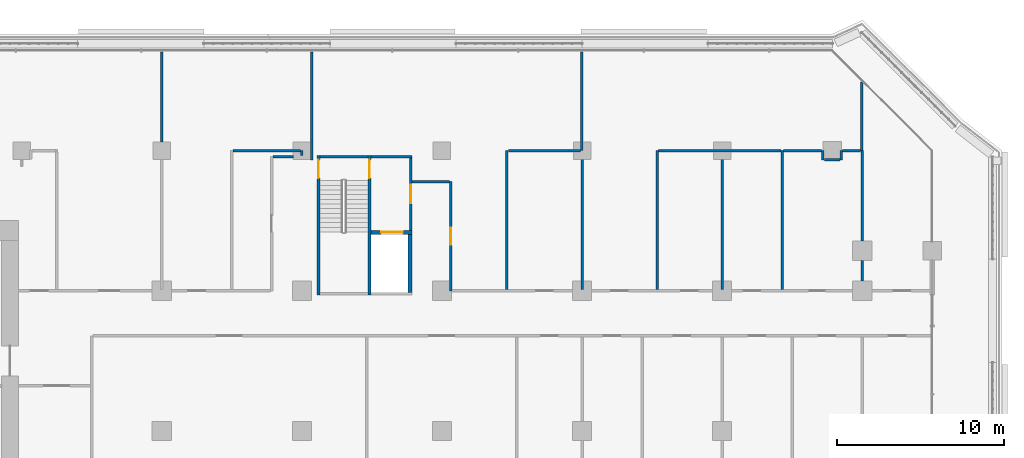
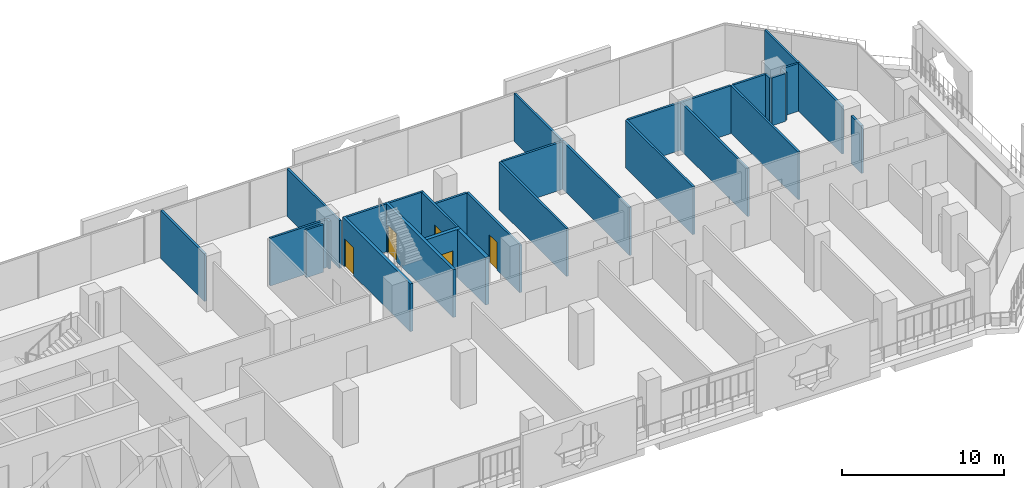
# One storey, part 17 of 27: 30 walls, 5 doors, 5 openings.
"""IFC4 building model written with IfcOpenShell, lengths in metres."""

from ifc_helpers import new_model, si_unit, direction, frame, frame_2d, origin, place, context, subcontext, project, spatial, rectangle, extrude, material, layer, layer_set, type_object, element, fill, save


model = new_model("IFC4")

# Units and contexts
model_context = context("Model", 3, precision=1e-05, world=origin(), true_north=direction((0.0, 1.0)))
body_context = subcontext(model_context, "Body", "Model", "MODEL_VIEW")
ifc_project = project(units=[si_unit("LENGTHUNIT", "METRE"), si_unit("AREAUNIT", "SQUARE_METRE"), si_unit("VOLUMEUNIT", "CUBIC_METRE"), si_unit("PLANEANGLEUNIT", "RADIAN"), si_unit("MASSUNIT", "GRAM", prefix="KILO")], contexts=[model_context])

# Site, building, storey
site_placement = place(None, origin())
site = spatial("IfcSite", under=ifc_project, at=site_placement, CompositionType="ELEMENT")
building_placement = place(site_placement, origin())
building = spatial("IfcBuilding", under=site, at=building_placement, Name="Kawkab Arch Medical Tower", CompositionType="ELEMENT")
storey_placement = place(building_placement, frame((0.0, 0.0, 103.0)))
storey = spatial("IfcBuildingStorey", under=building, at=storey_placement, Name="L23", CompositionType="ELEMENT", Elevation=103.0)

# Wall, opening, door
ifc_material_1 = material(Name="Gypsum board on steel studs", Category="steel")
ifc_layer_1 = layer(ifc_material_1, 0.14990234375)
ifc_layer_set_1 = layer_set([ifc_layer_1], Name="Gypsum board on steel studs")
wall_type_1 = type_object("IfcWallType", Name="Core room partition 150", PredefinedType="PARTITIONING", material=ifc_layer_set_1)
wall_1_placement = place(storey_placement, frame((48.52490234375, -4.77490234375, 0.0), z_axis=(0.0, 0.0, 1.0), x_axis=(0.0, 1.0, 0.0)))
wall_1 = element("IfcWall", 1, at=wall_1_placement, inside=storey, type_object=wall_type_1, Name="L23 core room partition", PredefinedType="PARTITIONING", context=body_context, shape_type="SweptSolid", body=[
    extrude(rectangle(XDim=4.324951171875, YDim=0.14990234375, at=frame_2d((2.16259765625, 0.0))), origin(), (0.0, 0.0, 1.0), 3.60009765625),
])
opening_1_placement = place(wall_1_placement, frame((1.625, 0.0, 0.0)))
opening_1 = element("IfcOpeningElement", 2, at=opening_1_placement, cuts=wall_1, Name="Opening FD", PredefinedType="OPENING", context=body_context, shape_type="SweptSolid", body=[
    extrude(rectangle(XDim=1.10009765625, YDim=2.10009765625, at=frame_2d((0.550048828125, 1.050048828125))), frame((0.0, 0.0849609375, 0.0), z_axis=(0.0, -1.0, 0.0), x_axis=(1.0, 0.0, 0.0)), (0.0, 0.0, 1.0), 0.169921875),
])
ifc_material_2 = material(Name="Hollow metal fire door leaf")
door_type_1 = type_object("IfcDoorType", Name="Firefighting lobby door 1100", OperationType="SINGLE_SWING_LEFT", PredefinedType="DOOR", material=ifc_material_2)
door_1_placement = place(opening_1_placement, origin())
door_1 = element("IfcDoor", 3, at=door_1_placement, inside=storey, type_object=door_type_1, Name="L23 Service lift lobby door SV1", OperationType="SINGLE_SWING_LEFT", OverallHeight=2.10009765625, OverallWidth=1.10009765625, PredefinedType="DOOR", context=body_context, shape_type="SweptSolid", body=[
    extrude(rectangle(XDim=1.10009765625, YDim=2.10009765625, at=frame_2d((0.550048828125, 1.050048828125))), frame((0.0, 0.02490234375, 0.0), z_axis=(0.0, -1.0, 0.0), x_axis=(1.0, 0.0, 0.0)), (0.0, 0.0, 1.0), 0.050048828125),
])
fill(opening_1, door_1)

ifc_material_3 = material(Name="Concrete C60/75", Category="concrete")
ifc_layer_2 = layer(ifc_material_3, 0.25)
ifc_layer_set_2 = layer_set([ifc_layer_2], Name="Concrete C60/75")
wall_type_2 = type_object("IfcWallType", Name="Core shear wall 250 C60/75", PredefinedType="SHEAR", material=ifc_layer_set_2)
wall_2_placement = place(storey_placement, frame((46.14990234375, -4.89990234375, 0.0), z_axis=(0.0, 0.0, 1.0), x_axis=(1.0, 0.0, 0.0)))
wall_2 = element("IfcWall", 4, at=wall_2_placement, inside=storey, type_object=wall_type_2, Name="L23 core shear wall", PredefinedType="SHEAR", context=body_context, shape_type="SweptSolid", body=[
    extrude(rectangle(XDim=2.4501953125, YDim=0.25, at=frame_2d((1.22509765625, 0.0))), origin(), (0.0, 0.0, 1.0), 3.60009765625),
])
opening_2_placement = place(wall_2_placement, frame((0.60009765625, 0.0, 0.0)))
opening_2 = element("IfcOpeningElement", 5, at=opening_2_placement, cuts=wall_2, Name="Opening LD2", PredefinedType="OPENING", context=body_context, shape_type="SweptSolid", body=[
    extrude(rectangle(XDim=1.300048828125, YDim=2.10009765625, at=frame_2d((0.64990234375, 1.050048828125))), frame((0.0, 0.135009765625, 0.0), z_axis=(0.0, -1.0, 0.0), x_axis=(1.0, 0.0, 0.0)), (0.0, 0.0, 1.0), 0.27001953125),
])
ifc_material_4 = material(Name="Stainless steel lift door leaf", Category="steel")
door_type_2 = type_object("IfcDoorType", Name="Lift landing door 1300", OperationType="DOUBLE_DOOR_SLIDING", PredefinedType="DOOR", material=ifc_material_4)
door_2_placement = place(opening_2_placement, origin())
door_2 = element("IfcDoor", 6, at=door_2_placement, inside=storey, type_object=door_type_2, Name="L23 Lift landing door SV1", OperationType="DOUBLE_DOOR_SLIDING", OverallHeight=2.10009765625, OverallWidth=1.300048828125, PredefinedType="DOOR", context=body_context, shape_type="SweptSolid", body=[
    extrude(rectangle(XDim=1.300048828125, YDim=2.10009765625, at=frame_2d((0.64990234375, 1.050048828125))), frame((0.0, 0.02490234375, 0.0), z_axis=(0.0, -1.0, 0.0), x_axis=(1.0, 0.0, 0.0)), (0.0, 0.0, 1.0), 0.050048828125),
])
fill(opening_2, door_2)

# Walls
wall_3_placement = place(storey_placement, frame((48.47509765625, -8.5, 0.0), z_axis=(0.0, 0.0, 1.0), x_axis=(0.0, 1.0, 0.0)))
element("IfcWall", 7, at=wall_3_placement, inside=storey, type_object=wall_type_2, Name="L23 core shear wall", PredefinedType="SHEAR", context=body_context, shape_type="SweptSolid", body=[
    extrude(rectangle(XDim=3.47509765625, YDim=0.25, at=frame_2d((1.737548828125, 0.0))), origin(), (0.0, 0.0, 1.0), 3.60009765625),
])
ifc_material_5 = material(Name="Gypsum board partition on steel studs, mineral wool", Category="steel")
ifc_layer_3 = layer(ifc_material_5, 0.14990234375)
ifc_layer_set_3 = layer_set([ifc_layer_3], Name="Gypsum board partition on steel studs, mineral wool")
wall_type_3 = type_object("IfcWallType", Name="Partition 150", PredefinedType="PARTITIONING", material=ifc_layer_set_3)
wall_4_placement = place(storey_placement, frame((48.60009765625, -1.85009765625, 0.0), z_axis=(0.0, 0.0, 1.0), x_axis=(1.0, 0.0, 0.0)))
element("IfcWall", 8, at=wall_4_placement, inside=storey, type_object=wall_type_3, Name="Partition 150 w017", PredefinedType="PARTITIONING", context=body_context, shape_type="SweptSolid", body=[
    extrude(rectangle(XDim=2.247802734375, YDim=0.14990234375, at=frame_2d((1.1240234375, 0.0))), origin(), (0.0, 0.0, 1.0), 3.60009765625),
])
wall_5_placement = place(storey_placement, frame((73.326904296875, -0.550048828125, 0.0), z_axis=(0.0, 0.0, 1.0), x_axis=(1.0, 0.0, 0.0)))
element("IfcWall", 9, at=wall_5_placement, inside=storey, type_object=wall_type_3, Name="Partition 150 w018", PredefinedType="PARTITIONING", context=body_context, shape_type="SweptSolid", body=[
    extrude(rectangle(XDim=0.946044921875, YDim=0.14990234375, at=frame_2d((0.47314453125, 0.0))), origin(), (0.0, 0.0, 1.0), 3.60009765625),
])
wall_6_placement = place(storey_placement, frame((40.257080078125, -0.35009765625, 0.0), z_axis=(0.0, 0.0, 1.0), x_axis=(1.0, 0.0, 0.0)))
element("IfcWall", 10, at=wall_6_placement, inside=storey, type_object=wall_type_3, Name="Partition 150 w019", PredefinedType="PARTITIONING", context=body_context, shape_type="SweptSolid", body=[
    extrude(rectangle(XDim=1.23095703125, YDim=0.14990234375, at=frame_2d((0.615478515625, 0.0))), origin(), (0.0, 0.0, 1.0), 3.60009765625),
])
wall_7_placement = place(storey_placement, frame((37.8779296875, 0.0, 0.0), z_axis=(0.0, 0.0, 1.0), x_axis=(1.0, 0.0, 0.0)))
element("IfcWall", 11, at=wall_7_placement, inside=storey, type_object=wall_type_3, Name="Partition 150 w021", PredefinedType="PARTITIONING", context=body_context, shape_type="SweptSolid", body=[
    extrude(rectangle(XDim=4.045166015625, YDim=0.14990234375, at=frame_2d((2.0224609375, 0.0))), origin(), (0.0, 0.0, 1.0), 3.60009765625),
])
wall_8_placement = place(storey_placement, frame((54.39501953125, 0.0, 0.0), z_axis=(0.0, 0.0, 1.0), x_axis=(1.0, 0.0, 0.0)))
element("IfcWall", 12, at=wall_8_placement, inside=storey, type_object=wall_type_3, Name="Partition 150 w022", PredefinedType="PARTITIONING", context=body_context, shape_type="SweptSolid", body=[
    extrude(rectangle(XDim=4.31005859375, YDim=0.14990234375, at=frame_2d((2.155029296875, 0.0))), origin(), (0.0, 0.0, 1.0), 3.60009765625),
])
wall_9_placement = place(storey_placement, frame((63.37890625, 0.0, 0.0), z_axis=(0.0, 0.0, 1.0), x_axis=(1.0, 0.0, 0.0)))
element("IfcWall", 13, at=wall_9_placement, inside=storey, type_object=wall_type_3, Name="Partition 150 w023", PredefinedType="PARTITIONING", context=body_context, shape_type="SweptSolid", body=[
    extrude(rectangle(XDim=7.34619140625, YDim=0.14990234375, at=frame_2d((3.673095703125, 0.0))), origin(), (0.0, 0.0, 1.0), 3.60009765625),
])
wall_10_placement = place(storey_placement, frame((70.89501953125, 0.0, 0.0), z_axis=(0.0, 0.0, 1.0), x_axis=(1.0, 0.0, 0.0)))
element("IfcWall", 14, at=wall_10_placement, inside=storey, type_object=wall_type_3, Name="Partition 150 w024", PredefinedType="PARTITIONING", context=body_context, shape_type="SweptSolid", body=[
    extrude(rectangle(XDim=2.278076171875, YDim=0.14990234375, at=frame_2d((1.13916015625, 0.0))), origin(), (0.0, 0.0, 1.0), 3.60009765625),
])
wall_11_placement = place(storey_placement, frame((74.426025390625, 0.0, 0.0), z_axis=(0.0, 0.0, 1.0), x_axis=(1.0, 0.0, 0.0)))
element("IfcWall", 15, at=wall_11_placement, inside=storey, type_object=wall_type_3, Name="Partition 150 w025", PredefinedType="PARTITIONING", context=body_context, shape_type="SweptSolid", body=[
    extrude(rectangle(XDim=1.078857421875, YDim=0.14990234375, at=frame_2d((0.53955078125, 0.0))), origin(), (0.0, 0.0, 1.0), 3.60009765625),
])
wall_12_placement = place(storey_placement, frame((33.60009765625, 0.52490234375, 0.0), z_axis=(0.0, 0.0, 1.0), x_axis=(0.0, 1.0, 0.0)))
element("IfcWall", 16, at=wall_12_placement, inside=storey, type_object=wall_type_3, Name="Partition 150 w036", PredefinedType="PARTITIONING", context=body_context, shape_type="SweptSolid", body=[
    extrude(rectangle(XDim=5.39501953125, YDim=0.14990234375, at=frame_2d((2.697509765625, 0.0))), origin(), (0.0, 0.0, 1.0), 3.60009765625),
])
wall_13_placement = place(storey_placement, frame((42.0, -0.300048828125, 0.0), z_axis=(0.0, 0.0, 1.0), x_axis=(0.0, 1.0, 0.0)))
element("IfcWall", 17, at=wall_13_placement, inside=storey, type_object=wall_type_3, Name="Partition 150 w039", PredefinedType="PARTITIONING", context=body_context, shape_type="SweptSolid", body=[
    extrude(rectangle(XDim=0.298095703125, YDim=0.14990234375, at=frame_2d((0.14892578125, 0.0))), origin(), (0.0, 0.0, 1.0), 3.60009765625),
])
wall_14_placement = place(storey_placement, frame((42.60009765625, -0.570068359375, 0.0), z_axis=(0.0, 0.0, 1.0), x_axis=(0.0, 1.0, 0.0)))
element("IfcWall", 18, at=wall_14_placement, inside=storey, type_object=wall_type_3, Name="Partition 150 w040", PredefinedType="PARTITIONING", context=body_context, shape_type="SweptSolid", body=[
    extrude(rectangle(XDim=6.489990234375, YDim=0.14990234375, at=frame_2d((3.2451171875, 0.0))), origin(), (0.0, 0.0, 1.0), 3.60009765625),
])

# Wall, opening, door
wall_15_placement = place(storey_placement, frame((50.925048828125, -8.39990234375, 0.0), z_axis=(0.0, 0.0, 1.0), x_axis=(0.0, 1.0, 0.0)))
wall_15 = element("IfcWall", 19, at=wall_15_placement, inside=storey, type_object=wall_type_3, Name="Partition 150 w042", PredefinedType="PARTITIONING", context=body_context, shape_type="SweptSolid", body=[
    extrude(rectangle(XDim=6.546875, YDim=0.14990234375, at=frame_2d((3.2734375, 0.0))), origin(), (0.0, 0.0, 1.0), 3.60009765625),
])
opening_3_placement = place(wall_15_placement, frame((2.77392578125, 0.0, 0.0)))
opening_3 = element("IfcOpeningElement", 20, at=opening_3_placement, cuts=wall_15, Name="Opening B23-010", PredefinedType="OPENING", context=body_context, shape_type="SweptSolid", body=[
    extrude(rectangle(XDim=1.0, YDim=2.10009765625, at=frame_2d((0.5, 1.050048828125))), frame((0.0, 0.0849609375, 0.0), z_axis=(0.0, -1.0, 0.0), x_axis=(1.0, 0.0, 0.0)), (0.0, 0.0, 1.0), 0.169921875),
])
ifc_material_6 = material(Name="Hollow metal door leaf")
door_type_3 = type_object("IfcDoorType", Name="Single door 1000x2100 FD30S", OperationType="NOTDEFINED", PredefinedType="DOOR", material=ifc_material_6)
door_3_placement = place(opening_3_placement, origin())
door_3 = element("IfcDoor", 21, at=door_3_placement, inside=storey, type_object=door_type_3, Name="Door B23-010", OperationType="SINGLE_SWING_LEFT", OverallHeight=2.10009765625, OverallWidth=1.0, PredefinedType="DOOR", context=body_context, shape_type="SweptSolid", body=[
    extrude(rectangle(XDim=1.0, YDim=2.10009765625, at=frame_2d((0.5, 1.050048828125))), frame((0.0, 0.02490234375, 0.0), z_axis=(0.0, -1.0, 0.0), x_axis=(1.0, 0.0, 0.0)), (0.0, 0.0, 1.0), 0.050048828125),
])
fill(opening_3, door_3)

# Walls
wall_16_placement = place(storey_placement, frame((54.300048828125, -8.324951171875, 0.0), z_axis=(0.0, 0.0, 1.0), x_axis=(0.0, 1.0, 0.0)))
element("IfcWall", 22, at=wall_16_placement, inside=storey, type_object=wall_type_3, Name="Partition 150 w043", PredefinedType="PARTITIONING", context=body_context, shape_type="SweptSolid", body=[
    extrude(rectangle(XDim=8.322998046875, YDim=0.14990234375, at=frame_2d((4.16162109375, 0.0))), origin(), (0.0, 0.0, 1.0), 3.60009765625),
])
wall_17_placement = place(storey_placement, frame((58.780029296875, 0.02001953125, 0.0), z_axis=(0.0, 0.0, 1.0), x_axis=(0.0, 1.0, 0.0)))
element("IfcWall", 23, at=wall_17_placement, inside=storey, type_object=wall_type_3, Name="Partition 150 w045", PredefinedType="PARTITIONING", context=body_context, shape_type="SweptSolid", body=[
    extrude(rectangle(XDim=5.89990234375, YDim=0.14990234375, at=frame_2d((2.949951171875, 0.0))), origin(), (0.0, 0.0, 1.0), 3.60009765625),
])
wall_18_placement = place(storey_placement, frame((58.800048828125, -8.324951171875, 0.0), z_axis=(0.0, 0.0, 1.0), x_axis=(0.0, 1.0, 0.0)))
element("IfcWall", 24, at=wall_18_placement, inside=storey, type_object=wall_type_3, Name="Partition 150 w047", PredefinedType="PARTITIONING", context=body_context, shape_type="SweptSolid", body=[
    extrude(rectangle(XDim=8.321044921875, YDim=0.14990234375, at=frame_2d((4.16064453125, 0.0))), origin(), (0.0, 0.0, 1.0), 3.60009765625),
])
wall_19_placement = place(storey_placement, frame((63.300048828125, -8.324951171875, 0.0), z_axis=(0.0, 0.0, 1.0), x_axis=(0.0, 1.0, 0.0)))
element("IfcWall", 25, at=wall_19_placement, inside=storey, type_object=wall_type_3, Name="Partition 150 w049", PredefinedType="PARTITIONING", context=body_context, shape_type="SweptSolid", body=[
    extrude(rectangle(XDim=8.322021484375, YDim=0.14990234375, at=frame_2d((4.1611328125, 0.0))), origin(), (0.0, 0.0, 1.0), 3.60009765625),
])
wall_20_placement = place(storey_placement, frame((67.199951171875, -8.324951171875, 0.0), z_axis=(0.0, 0.0, 1.0), x_axis=(0.0, 1.0, 0.0)))
element("IfcWall", 26, at=wall_20_placement, inside=storey, type_object=wall_type_3, Name="Partition 150 w051", PredefinedType="PARTITIONING", context=body_context, shape_type="SweptSolid", body=[
    extrude(rectangle(XDim=8.25, YDim=0.14990234375, at=frame_2d((4.125, 0.0))), origin(), (0.0, 0.0, 1.0), 3.60009765625),
])
wall_21_placement = place(storey_placement, frame((70.800048828125, -8.324951171875, 0.0), z_axis=(0.0, 0.0, 1.0), x_axis=(0.0, 1.0, 0.0)))
element("IfcWall", 27, at=wall_21_placement, inside=storey, type_object=wall_type_3, Name="Partition 150 w052", PredefinedType="PARTITIONING", context=body_context, shape_type="SweptSolid", body=[
    extrude(rectangle(XDim=8.324951171875, YDim=0.14990234375, at=frame_2d((4.16259765625, 0.0))), origin(), (0.0, 0.0, 1.0), 3.60009765625),
])
wall_22_placement = place(storey_placement, frame((73.25, -0.547119140625, 0.0), z_axis=(0.0, 0.0, 1.0), x_axis=(0.0, 1.0, 0.0)))
element("IfcWall", 28, at=wall_22_placement, inside=storey, type_object=wall_type_3, Name="Partition 150 w054", PredefinedType="PARTITIONING", context=body_context, shape_type="SweptSolid", body=[
    extrude(rectangle(XDim=0.545166015625, YDim=0.14990234375, at=frame_2d((0.2724609375, 0.0))), origin(), (0.0, 0.0, 1.0), 3.60009765625),
])
wall_23_placement = place(storey_placement, frame((74.35009765625, -0.548095703125, 0.0), z_axis=(0.0, 0.0, 1.0), x_axis=(0.0, 1.0, 0.0)))
element("IfcWall", 29, at=wall_23_placement, inside=storey, type_object=wall_type_3, Name="Partition 150 w055", PredefinedType="PARTITIONING", context=body_context, shape_type="SweptSolid", body=[
    extrude(rectangle(XDim=0.546142578125, YDim=0.14990234375, at=frame_2d((0.27294921875, 0.0))), origin(), (0.0, 0.0, 1.0), 3.60009765625),
])
wall_24_placement = place(storey_placement, frame((75.580078125, 0.02001953125, 0.0), z_axis=(0.0, 0.0, 1.0), x_axis=(0.0, 1.0, 0.0)))
element("IfcWall", 30, at=wall_24_placement, inside=storey, type_object=wall_type_3, Name="Partition 150 w056", PredefinedType="PARTITIONING", context=body_context, shape_type="SweptSolid", body=[
    extrude(rectangle(XDim=4.0869140625, YDim=0.14990234375, at=frame_2d((2.04345703125, 0.0))), origin(), (0.0, 0.0, 1.0), 3.60009765625),
])
wall_25_placement = place(storey_placement, frame((75.60009765625, -7.824951171875, 0.0), z_axis=(0.0, 0.0, 1.0), x_axis=(0.0, 1.0, 0.0)))
element("IfcWall", 31, at=wall_25_placement, inside=storey, type_object=wall_type_3, Name="Partition 150 w058", PredefinedType="PARTITIONING", context=body_context, shape_type="SweptSolid", body=[
    extrude(rectangle(XDim=1.25, YDim=0.14990234375, at=frame_2d((0.625, 0.0))), origin(), (0.0, 0.0, 1.0), 3.60009765625),
])
wall_26_placement = place(storey_placement, frame((75.60009765625, -5.425048828125, 0.0), z_axis=(0.0, 0.0, 1.0), x_axis=(0.0, 1.0, 0.0)))
element("IfcWall", 32, at=wall_26_placement, inside=storey, type_object=wall_type_3, Name="Partition 150 w059", PredefinedType="PARTITIONING", context=body_context, shape_type="SweptSolid", body=[
    extrude(rectangle(XDim=5.423095703125, YDim=0.14990234375, at=frame_2d((2.71142578125, 0.0))), origin(), (0.0, 0.0, 1.0), 3.60009765625),
])
ifc_material_7 = material(Name="Concrete C50/60", Category="concrete")
ifc_layer_4 = layer(ifc_material_7, 0.14990234375)
ifc_layer_set_4 = layer_set([ifc_layer_4], Name="Concrete C50/60")
wall_type_4 = type_object("IfcWallType", Name="Stair enclosure wall 150 C50/60", PredefinedType="SHEAR", material=ifc_layer_set_4)
wall_27_placement = place(storey_placement, frame((43.10009765625, -0.375, 0.0), z_axis=(0.0, 0.0, 1.0), x_axis=(1.0, 0.0, 0.0)))
element("IfcWall", 33, at=wall_27_placement, inside=storey, type_object=wall_type_4, Name="L23 stair enclosure wall", PredefinedType="SHEAR", context=body_context, shape_type="SweptSolid", body=[
    extrude(rectangle(XDim=2.849853515625, YDim=0.14990234375, at=frame_2d((1.4248046875, 0.0))), origin(), (0.0, 0.0, 1.0), 3.60009765625),
])
wall_28_placement = place(storey_placement, frame((46.14990234375, -0.375, 0.0), z_axis=(0.0, 0.0, 1.0), x_axis=(1.0, 0.0, 0.0)))
element("IfcWall", 34, at=wall_28_placement, inside=storey, type_object=wall_type_4, Name="L23 stair enclosure wall", PredefinedType="SHEAR", context=body_context, shape_type="SweptSolid", body=[
    extrude(rectangle(XDim=2.4501953125, YDim=0.14990234375, at=frame_2d((1.22509765625, 0.0))), origin(), (0.0, 0.0, 1.0), 3.60009765625),
])

# Wall, opening, door
ifc_material_8 = material(Name="Concrete C50/60", Category="concrete")
ifc_layer_5 = layer(ifc_material_8, 0.199951171875)
ifc_layer_set_5 = layer_set([ifc_layer_5], Name="Concrete C50/60")
wall_type_5 = type_object("IfcWallType", Name="Stair enclosure wall 200 C50/60", PredefinedType="SHEAR", material=ifc_layer_set_5)
wall_29_placement = place(storey_placement, frame((43.0, -8.64990234375, 0.0), z_axis=(0.0, 0.0, 1.0), x_axis=(0.0, 1.0, 0.0)))
wall_29 = element("IfcWall", 35, at=wall_29_placement, inside=storey, type_object=wall_type_5, Name="L23 stair enclosure wall", PredefinedType="SHEAR", context=body_context, shape_type="SweptSolid", body=[
    extrude(rectangle(XDim=8.349853515625, YDim=0.199951171875, at=frame_2d((4.1748046875, 0.0))), origin(), (0.0, 0.0, 1.0), 3.60009765625),
])
opening_4_placement = place(wall_29_placement, frame((7.0, 0.0, 0.0)))
opening_4 = element("IfcOpeningElement", 36, at=opening_4_placement, cuts=wall_29, Name="Opening SD", PredefinedType="OPENING", context=body_context, shape_type="SweptSolid", body=[
    extrude(rectangle(XDim=1.10009765625, YDim=2.10009765625, at=frame_2d((0.550048828125, 1.050048828125))), frame((0.0, 0.10986328125, 0.0), z_axis=(0.0, -1.0, 0.0), x_axis=(1.0, 0.0, 0.0)), (0.0, 0.0, 1.0), 0.219970703125),
])
ifc_material_9 = material(Name="Hollow metal fire door leaf")
door_type_4 = type_object("IfcDoorType", Name="Exit stair door 1100", OperationType="SINGLE_SWING_LEFT", PredefinedType="DOOR", material=ifc_material_9)
door_4_placement = place(opening_4_placement, frame((1.10009765625, 0.0, 0.0), z_axis=(0.0, 0.0, 1.0), x_axis=(-1.0, 0.0, 0.0)))
door_4 = element("IfcDoor", 37, at=door_4_placement, inside=storey, type_object=door_type_4, Name="L23 Exit stair ST5 door", OperationType="SINGLE_SWING_LEFT", OverallHeight=2.10009765625, OverallWidth=1.10009765625, PredefinedType="DOOR", context=body_context, shape_type="SweptSolid", body=[
    extrude(rectangle(XDim=1.10009765625, YDim=2.10009765625, at=frame_2d((0.550048828125, 1.050048828125))), frame((0.0, 0.02490234375, 0.0), z_axis=(0.0, -1.0, 0.0), x_axis=(1.0, 0.0, 0.0)), (0.0, 0.0, 1.0), 0.050048828125),
])
fill(opening_4, door_4)

wall_30_placement = place(storey_placement, frame((46.050048828125, -8.64990234375, 0.0), z_axis=(0.0, 0.0, 1.0), x_axis=(0.0, 1.0, 0.0)))
wall_30 = element("IfcWall", 38, at=wall_30_placement, inside=storey, type_object=wall_type_5, Name="L23 stair enclosure wall", PredefinedType="SHEAR", context=body_context, shape_type="SweptSolid", body=[
    extrude(rectangle(XDim=8.349853515625, YDim=0.199951171875, at=frame_2d((4.1748046875, 0.0))), origin(), (0.0, 0.0, 1.0), 3.60009765625),
])
opening_5_placement = place(wall_30_placement, frame((7.0, 0.0, 0.0)))
opening_5 = element("IfcOpeningElement", 39, at=opening_5_placement, cuts=wall_30, Name="Opening SD", PredefinedType="OPENING", context=body_context, shape_type="SweptSolid", body=[
    extrude(rectangle(XDim=1.10009765625, YDim=2.10009765625, at=frame_2d((0.550048828125, 1.050048828125))), frame((0.0, 0.10986328125, 0.0), z_axis=(0.0, -1.0, 0.0), x_axis=(1.0, 0.0, 0.0)), (0.0, 0.0, 1.0), 0.219970703125),
])
door_5_placement = place(opening_5_placement, origin())
door_5 = element("IfcDoor", 40, at=door_5_placement, inside=storey, type_object=door_type_4, Name="L23 Exit stair ST5 lobby door", OperationType="SINGLE_SWING_LEFT", OverallHeight=2.10009765625, OverallWidth=1.10009765625, PredefinedType="DOOR", context=body_context, shape_type="SweptSolid", body=[
    extrude(rectangle(XDim=1.10009765625, YDim=2.10009765625, at=frame_2d((0.550048828125, 1.050048828125))), frame((0.0, 0.02490234375, 0.0), z_axis=(0.0, -1.0, 0.0), x_axis=(1.0, 0.0, 0.0)), (0.0, 0.0, 1.0), 0.050048828125),
])
fill(opening_5, door_5)

save(model, "model.ifc")
